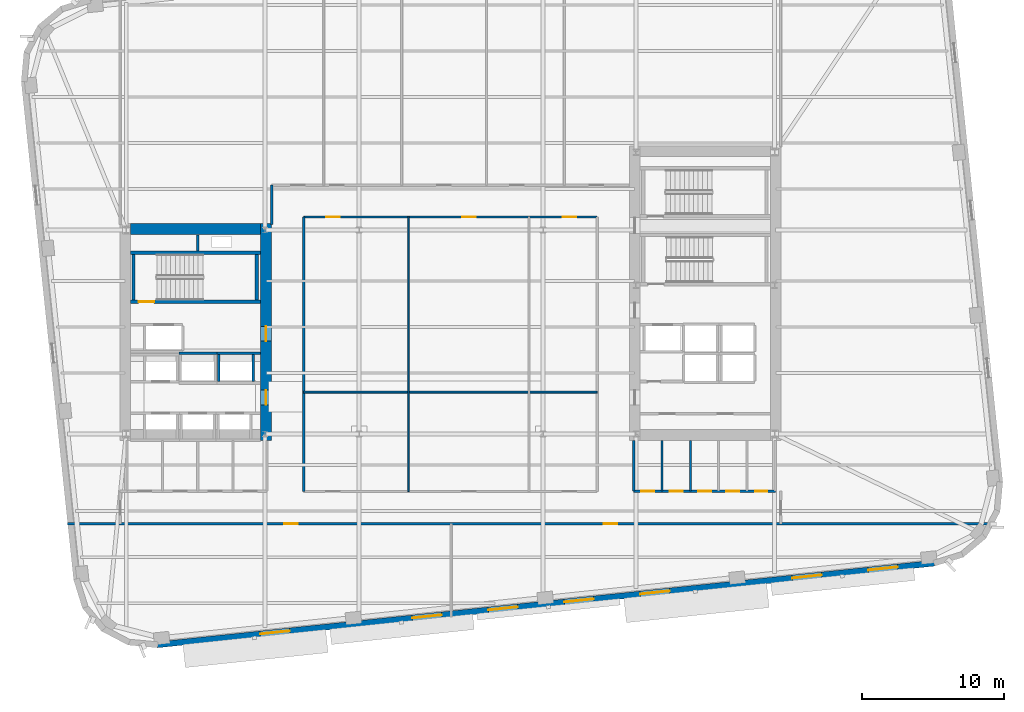
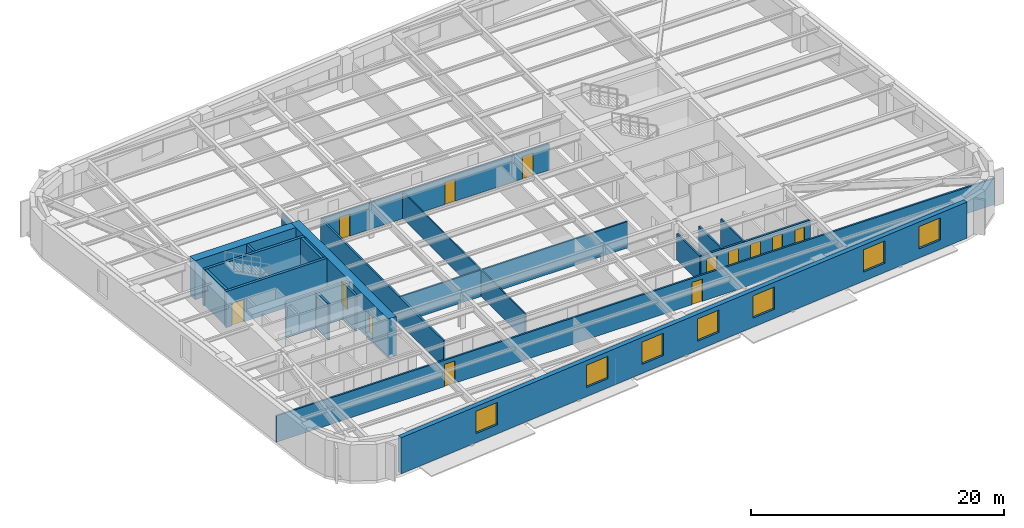
# One storey, part 5 of 15: 22 walls, 13 doors, 7 windows, 20 openings.
"""IFC4 building model written with IfcOpenShell, lengths in metres."""

import ifcopenshell
import ifcopenshell.guid

model = None  # the IFC model being written
_history = None  # IfcOwnerHistory: only IFC2X3 demands one
_inside = {}  # id of a spatial element -> (the spatial element, [elements in it])
_under = {}  # id of a project, library or spatial element -> (it, [spatial elements below it])
_declared = {}  # id of a project -> (the project, [libraries it declares])
_typed = {}  # id of a type object -> (the type object, [elements of that type])
_made_of = {}  # id of a material, layer set ... -> (it, [elements and type objects made of it])


def new_model(schema):
    """Start an empty IFC model of exactly this schema.

    Asked for "IFC4X3", IfcOpenShell would pick the latest addendum, in which some entities
    have other attributes; the version numbers below select the first issue.
    IFC2X3 requires an IfcOwnerHistory on every rooted entity: one is made here for all.
    """
    global model, _history
    if schema == "IFC4X3":
        model = ifcopenshell.file(schema_version=(4, 3, 0, 0))
    else:
        model = ifcopenshell.file(schema=schema)
    _inside.clear()
    _under.clear()
    _declared.clear()
    _typed.clear()
    _made_of.clear()
    _history = None
    if model.schema == "IFC2X3":
        org = make("IfcOrganization", Name="unknown")
        user = make(
            "IfcPersonAndOrganization",
            ThePerson=make("IfcPerson", FamilyName="unknown"),
            TheOrganization=org,
        )
        app = make(
            "IfcApplication",
            ApplicationDeveloper=org,
            Version="unknown",
            ApplicationFullName="unknown",
            ApplicationIdentifier="unknown",
        )
        _history = make(
            "IfcOwnerHistory",
            OwningUser=user,
            OwningApplication=app,
            ChangeAction="ADDED",
            CreationDate=0,
        )
    return model


def make(cls, **values):
    """One entity of the class cls with the attributes given. An attribute that is None is left unset."""
    return model.create_entity(
        cls, **{name: value for name, value in values.items() if value is not None}
    )


def rooted(cls, **values):
    """An entity with a GlobalId (a new one), such as an element, a storey or a relation."""
    return make(cls, GlobalId=ifcopenshell.guid.new(), OwnerHistory=_history, **values)


def si_unit(unit_type, name, prefix=None):
    """IfcSIUnit, for example si_unit("LENGTHUNIT", "METRE", prefix="MILLI")."""
    return make("IfcSIUnit", UnitType=unit_type, Prefix=prefix, Name=name)


def assignment(units):
    """IfcUnitAssignment: the units of a project."""
    return None if units is None else make("IfcUnitAssignment", Units=units)


def point(xyz):
    """IfcCartesianPoint."""
    return None if xyz is None else make("IfcCartesianPoint", Coordinates=xyz)


def direction(xyz):
    """IfcDirection."""
    return None if xyz is None else make("IfcDirection", DirectionRatios=xyz)


def frame(location, z_axis=None, x_axis=None):
    """IfcAxis2Placement3D, a coordinate frame: its origin and axes. An axis left out is left unset."""
    return make(
        "IfcAxis2Placement3D",
        Location=point(location),
        Axis=direction(z_axis),
        RefDirection=direction(x_axis),
    )


def frame_2d(location, x_axis=None):
    """IfcAxis2Placement2D, a coordinate frame in the plane: its origin and x axis."""
    return make(
        "IfcAxis2Placement2D", Location=point(location), RefDirection=direction(x_axis)
    )


def origin():
    """The frame at (0, 0, 0) with its axes left unset."""
    return frame((0.0, 0.0, 0.0))


def place(relative_to, where):
    """IfcLocalPlacement: puts the frame where relative to a parent placement (None: the world)."""
    return make(
        "IfcLocalPlacement", PlacementRelTo=relative_to, RelativePlacement=where
    )


def context(
    kind, dimensions, precision=None, world=None, true_north=None, identifier=None
):
    """IfcGeometricRepresentationContext, for example the 3D "Model" context."""
    return make(
        "IfcGeometricRepresentationContext",
        ContextIdentifier=identifier,
        ContextType=kind,
        CoordinateSpaceDimension=dimensions,
        Precision=precision,
        WorldCoordinateSystem=world,
        TrueNorth=true_north,
    )


def subcontext(parent, identifier, kind, view, scale=None):
    """IfcGeometricRepresentationSubContext, for example "Body" below "Model"."""
    return make(
        "IfcGeometricRepresentationSubContext",
        ContextIdentifier=identifier,
        ContextType=kind,
        ParentContext=parent,
        TargetScale=scale,
        TargetView=view,
    )


def project(units=None, contexts=None):
    """IfcProject with its units and contexts."""
    return rooted(
        "IfcProject",
        Name="project",
        RepresentationContexts=contexts,
        UnitsInContext=assignment(units),
    )


def spatial(cls, under=None, at=None, **own):
    """A site, building, storey or space (cls), placed at a placement, below another one or the project."""
    s = rooted(cls, ObjectPlacement=at, **own)
    if under is not None:
        _under.setdefault(under.id(), (under, []))[1].append(s)
    return s


def profile(cls, at=None, kind="AREA", **sizes):
    """A parametric profile (cls). Its sizes go by their IFC names, for example OverallWidth=200.0."""
    return make(cls, ProfileType=kind, Position=at, **sizes)


def rectangle(**sizes):
    """IfcRectangleProfileDef."""
    return profile("IfcRectangleProfileDef", **sizes)


def extrude(swept, where, along, depth):
    """IfcExtrudedAreaSolid: the profile swept, set in the frame where, extruded along a direction by depth."""
    return make(
        "IfcExtrudedAreaSolid",
        SweptArea=swept,
        Position=where,
        ExtrudedDirection=direction(along),
        Depth=depth,
    )


def shape(context_of_items, identifier, shape_type, items):
    """IfcShapeRepresentation: the items that make up one representation, for example the "Body"."""
    return make(
        "IfcShapeRepresentation",
        ContextOfItems=context_of_items,
        RepresentationIdentifier=identifier,
        RepresentationType=shape_type,
        Items=items,
    )


def material(Name=None, Category=None):
    """IfcMaterial."""
    return make("IfcMaterial", Name=Name, Category=Category)


def layer(
    of_material, thickness, ventilated=None, Name=None, Category=None, Priority=None
):
    """IfcMaterialLayer: one layer of a wall or slab, of a material (None: an air gap)."""
    return make(
        "IfcMaterialLayer",
        Material=of_material,
        LayerThickness=thickness,
        IsVentilated=ventilated,
        Name=Name,
        Category=Category,
        Priority=Priority,
    )


def layer_set(layers, Name=None):
    """IfcMaterialLayerSet."""
    return make("IfcMaterialLayerSet", MaterialLayers=layers, LayerSetName=Name)


def made_of(thing, what):
    """Note that an element or type object is made of a material, layer set ...; save() writes the relation."""
    if what is not None:
        _made_of.setdefault(what.id(), (what, []))[1].append(thing)
    return thing


def type_object(cls, material=None, **own):
    """A type object (cls), such as IfcWallType, which elements share."""
    return made_of(rooted(cls, **own), material)


def element(
    cls,
    number,
    at=None,
    inside=None,
    cuts=None,
    type_object=None,
    material=None,
    context=None,
    identifier="Body",
    shape_type=None,
    held_by="IfcProductDefinitionShape",
    body=None,
    shapes=None,
    **own,
):
    """One element of the class cls, such as IfcWall. Its Tag is "e" and its number.

    at: its placement. inside: the storey or other place that contains it. cuts: it is an
    opening in that element (IfcRelVoidsElement). A single representation is given by context,
    identifier, shape_type and body (its items); several are given by shapes. held_by: the class
    of the entity that holds the representations. save() writes the other relations.
    """
    e = rooted(cls, Tag="e%d" % number, ObjectPlacement=at, **own)
    if body is not None:
        shapes = [shape(context, identifier, shape_type, body)]
    if shapes is not None:
        e.Representation = make(held_by, Representations=shapes)
    if inside is not None:
        _inside.setdefault(inside.id(), (inside, []))[1].append(e)
    if cuts is not None:
        rooted(
            "IfcRelVoidsElement", RelatingBuildingElement=cuts, RelatedOpeningElement=e
        )
    if type_object is not None:
        _typed.setdefault(type_object.id(), (type_object, []))[1].append(e)
    return made_of(e, material)


def fill(opening, filler):
    """IfcRelFillsElement: the door or window that sits in an opening."""
    return rooted(
        "IfcRelFillsElement",
        RelatingOpeningElement=opening,
        RelatedBuildingElement=filler,
    )


def aggregate(whole, parts):
    """IfcRelAggregates: a whole, such as a stair, and the parts it consists of."""
    return rooted("IfcRelAggregates", RelatingObject=whole, RelatedObjects=parts)


def save(model, path):
    """Write the relations noted so far, then the file.

    IfcRelAggregates (storeys below a building ...), IfcRelContainedInSpatialStructure (elements
    in a storey), IfcRelDefinesByType, IfcRelAssociatesMaterial and IfcRelDeclares: one each for
    every whole, place, type object, material and project.
    """
    for whole, parts in _under.values():
        aggregate(whole, parts)
    for where, things in _inside.values():
        rooted(
            "IfcRelContainedInSpatialStructure",
            RelatedElements=things,
            RelatingStructure=where,
        )
    for kind, things in _typed.values():
        rooted("IfcRelDefinesByType", RelatedObjects=things, RelatingType=kind)
    for what, things in _made_of.values():
        rooted("IfcRelAssociatesMaterial", RelatedObjects=things, RelatingMaterial=what)
    for by, libraries in _declared.values():
        rooted("IfcRelDeclares", RelatingContext=by, RelatedDefinitions=libraries)
    model.write(path)


model = new_model("IFC4")

# Units and contexts
model_context = context("Model", 3, precision=1e-05, world=origin(), true_north=direction((0.0, 1.0)))
body_context = subcontext(model_context, "Body", "Model", "MODEL_VIEW")
ifc_project = project(units=[si_unit("LENGTHUNIT", "METRE"), si_unit("AREAUNIT", "SQUARE_METRE"), si_unit("VOLUMEUNIT", "CUBIC_METRE"), si_unit("PLANEANGLEUNIT", "RADIAN"), si_unit("MASSUNIT", "GRAM", prefix="KILO")], contexts=[model_context])

# Site, building, storey
site_placement = place(None, origin())
site = spatial("IfcSite", under=ifc_project, at=site_placement, CompositionType="ELEMENT")
building_placement = place(site_placement, origin())
building = spatial("IfcBuilding", under=site, at=building_placement, Name="Kolvaren Arena Tower", CompositionType="ELEMENT")
storey_placement = place(building_placement, frame((0.0, 0.0, 142.0)))
storey = spatial("IfcBuildingStorey", under=building, at=storey_placement, Name="L33", CompositionType="ELEMENT", Elevation=142.0)

# Wall, openings, doors
ifc_material_1 = material(Name="Gypsum board acoustic assembly", Category="gypsum")
ifc_layer_1 = layer(ifc_material_1, 0.159912109375)
ifc_layer_set_1 = layer_set([ifc_layer_1], Name="Gypsum board acoustic assembly")
wall_type_1 = type_object("IfcWallType", Name="CORR-160", PredefinedType="PARTITIONING", material=ifc_layer_set_1)
wall_1_placement = place(storey_placement, frame((10.41552734375, 13.10009765625, 0.0), z_axis=(0.0, 0.0, 1.0), x_axis=(1.0, 0.0, 0.0)))
wall_1 = element("IfcWall", 1, at=wall_1_placement, inside=storey, type_object=wall_type_1, Name="Interior Partition Wall (L33)", PredefinedType="PARTITIONING", context=body_context, shape_type="SweptSolid", body=[
    extrude(rectangle(XDim=65.414794921875, YDim=0.159912109375, at=frame_2d((32.70751953125, 0.0))), origin(), (0.0, 0.0, 1.0), 2.5400390625),
])
opening_1_placement = place(wall_1_placement, frame((15.3095703125, 0.0, 0.0)))
opening_1 = element("IfcOpeningElement", 2, at=opening_1_placement, cuts=wall_1, Name="Opening D05", PredefinedType="OPENING", context=body_context, shape_type="SweptSolid", body=[
    extrude(rectangle(XDim=0.949951171875, YDim=2.14990234375, at=frame_2d((0.47509765625, 1.074951171875))), frame((0.0, 0.08984375, 0.0), z_axis=(0.0, -1.0, 0.0), x_axis=(1.0, 0.0, 0.0)), (0.0, 0.0, 1.0), 0.179931640625),
])
opening_2_placement = place(wall_1_placement, frame((37.859619140625, 0.0, 0.0)))
opening_2 = element("IfcOpeningElement", 3, at=opening_2_placement, cuts=wall_1, Name="Opening D05", PredefinedType="OPENING", context=body_context, shape_type="SweptSolid", body=[
    extrude(rectangle(XDim=0.949951171875, YDim=2.14990234375, at=frame_2d((0.47509765625, 1.074951171875))), frame((0.0, 0.08984375, 0.0), z_axis=(0.0, -1.0, 0.0), x_axis=(1.0, 0.0, 0.0)), (0.0, 0.0, 1.0), 0.179931640625),
])
ifc_material_2 = material(Name="Solid-core oak acoustic office door", Category="wood")
door_type_1 = type_object("IfcDoorType", Name="DOOR-OF-095", OperationType="NOTDEFINED", PredefinedType="DOOR", material=ifc_material_2)
door_1_placement = place(opening_1_placement, origin())
door_1 = element("IfcDoor", 4, at=door_1_placement, inside=storey, type_object=door_type_1, Name="Executive Office Door (L33)", OperationType="SINGLE_SWING_LEFT", OverallHeight=2.14990234375, OverallWidth=0.949951171875, PredefinedType="DOOR", context=body_context, shape_type="SweptSolid", body=[
    extrude(rectangle(XDim=0.949951171875, YDim=2.14990234375, at=frame_2d((0.47509765625, 1.074951171875))), frame((0.0, 0.02490234375, 0.0), z_axis=(0.0, -1.0, 0.0), x_axis=(1.0, 0.0, 0.0)), (0.0, 0.0, 1.0), 0.050048828125),
])
fill(opening_1, door_1)
door_2_placement = place(opening_2_placement, origin())
door_2 = element("IfcDoor", 5, at=door_2_placement, inside=storey, type_object=door_type_1, Name="Executive Office Door (L33)", OperationType="SINGLE_SWING_RIGHT", OverallHeight=2.14990234375, OverallWidth=0.949951171875, PredefinedType="DOOR", context=body_context, shape_type="SweptSolid", body=[
    extrude(rectangle(XDim=0.949951171875, YDim=2.14990234375, at=frame_2d((0.47509765625, 1.074951171875))), frame((0.0, 0.02490234375, 0.0), z_axis=(0.0, -1.0, 0.0), x_axis=(1.0, 0.0, 0.0)), (0.0, 0.0, 1.0), 0.050048828125),
])
fill(opening_2, door_2)

# Wall
wall_2_placement = place(storey_placement, frame((24.820068359375, 34.25, 0.0), z_axis=(0.0, 0.0, 1.0), x_axis=(0.0, 1.0, 0.0)))
element("IfcWall", 6, at=wall_2_placement, inside=storey, type_object=wall_type_1, Name="Interior Partition Wall (L33)", PredefinedType="PARTITIONING", context=body_context, shape_type="SweptSolid", body=[
    extrude(rectangle(XDim=2.77001953125, YDim=0.159912109375, at=frame_2d((1.385009765625, 0.0))), origin(), (0.0, 0.0, 1.0), 2.5400390625),
])

# Wall, openings, doors
wall_3_placement = place(storey_placement, frame((27.080078125, 34.780029296875, 0.0), z_axis=(0.0, 0.0, 1.0), x_axis=(1.0, 0.0, 0.0)))
wall_3 = element("IfcWall", 7, at=wall_3_placement, inside=storey, type_object=wall_type_1, Name="Interior Partition Wall (L33)", PredefinedType="PARTITIONING", context=body_context, shape_type="SweptSolid", body=[
    extrude(rectangle(XDim=20.739990234375, YDim=0.159912109375, at=frame_2d((10.3701171875, 0.0))), origin(), (0.0, 0.0, 1.0), 2.5400390625),
])
opening_3_placement = place(wall_3_placement, frame((1.594970703125, 0.0, 0.0)))
opening_3 = element("IfcOpeningElement", 8, at=opening_3_placement, cuts=wall_3, Name="Opening D05", PredefinedType="OPENING", context=body_context, shape_type="SweptSolid", body=[
    extrude(rectangle(XDim=0.949951171875, YDim=2.14990234375, at=frame_2d((0.47509765625, 1.074951171875))), frame((0.0, 0.08984375, 0.0), z_axis=(0.0, -1.0, 0.0), x_axis=(1.0, 0.0, 0.0)), (0.0, 0.0, 1.0), 0.179931640625),
])
opening_4_placement = place(wall_3_placement, frame((11.195068359375, 0.0, 0.0)))
opening_4 = element("IfcOpeningElement", 9, at=opening_4_placement, cuts=wall_3, Name="Opening D05", PredefinedType="OPENING", context=body_context, shape_type="SweptSolid", body=[
    extrude(rectangle(XDim=0.949951171875, YDim=2.14990234375, at=frame_2d((0.47509765625, 1.074951171875))), frame((0.0, 0.08984375, 0.0), z_axis=(0.0, -1.0, 0.0), x_axis=(1.0, 0.0, 0.0)), (0.0, 0.0, 1.0), 0.179931640625),
])
opening_5_placement = place(wall_3_placement, frame((18.294921875, 0.0, 0.0)))
opening_5 = element("IfcOpeningElement", 10, at=opening_5_placement, cuts=wall_3, Name="Opening D05", PredefinedType="OPENING", context=body_context, shape_type="SweptSolid", body=[
    extrude(rectangle(XDim=0.949951171875, YDim=2.14990234375, at=frame_2d((0.47509765625, 1.074951171875))), frame((0.0, 0.08984375, 0.0), z_axis=(0.0, -1.0, 0.0), x_axis=(1.0, 0.0, 0.0)), (0.0, 0.0, 1.0), 0.179931640625),
])
door_3_placement = place(opening_3_placement, origin())
door_3 = element("IfcDoor", 11, at=door_3_placement, inside=storey, type_object=door_type_1, Name="Executive Office Door (L33)", OperationType="SINGLE_SWING_RIGHT", OverallHeight=2.14990234375, OverallWidth=0.949951171875, PredefinedType="DOOR", context=body_context, shape_type="SweptSolid", body=[
    extrude(rectangle(XDim=0.949951171875, YDim=2.14990234375, at=frame_2d((0.47509765625, 1.074951171875))), frame((0.0, 0.02490234375, 0.0), z_axis=(0.0, -1.0, 0.0), x_axis=(1.0, 0.0, 0.0)), (0.0, 0.0, 1.0), 0.050048828125),
])
fill(opening_3, door_3)
door_4_placement = place(opening_4_placement, origin())
door_4 = element("IfcDoor", 12, at=door_4_placement, inside=storey, type_object=door_type_1, Name="Open Plan Office Door (L33)", OperationType="SINGLE_SWING_RIGHT", OverallHeight=2.14990234375, OverallWidth=0.949951171875, PredefinedType="DOOR", context=body_context, shape_type="SweptSolid", body=[
    extrude(rectangle(XDim=0.949951171875, YDim=2.14990234375, at=frame_2d((0.47509765625, 1.074951171875))), frame((0.0, 0.02490234375, 0.0), z_axis=(0.0, -1.0, 0.0), x_axis=(1.0, 0.0, 0.0)), (0.0, 0.0, 1.0), 0.050048828125),
])
fill(opening_4, door_4)
door_5_placement = place(opening_5_placement, origin())
door_5 = element("IfcDoor", 13, at=door_5_placement, inside=storey, type_object=door_type_1, Name="Breakout Pantry and Kitchen Door (L33)", OperationType="SINGLE_SWING_RIGHT", OverallHeight=2.14990234375, OverallWidth=0.949951171875, PredefinedType="DOOR", context=body_context, shape_type="SweptSolid", body=[
    extrude(rectangle(XDim=0.949951171875, YDim=2.14990234375, at=frame_2d((0.47509765625, 1.074951171875))), frame((0.0, 0.02490234375, 0.0), z_axis=(0.0, -1.0, 0.0), x_axis=(1.0, 0.0, 0.0)), (0.0, 0.0, 1.0), 0.050048828125),
])
fill(opening_5, door_5)

# Wall
wall_4_placement = place(storey_placement, frame((27.080078125, 15.3798828125, 0.0), z_axis=(0.0, 0.0, 1.0), x_axis=(0.0, 1.0, 0.0)))
element("IfcWall", 14, at=wall_4_placement, inside=storey, type_object=wall_type_1, Name="Interior Partition Wall (L33)", PredefinedType="PARTITIONING", context=body_context, shape_type="SweptSolid", body=[
    extrude(rectangle(XDim=19.400146484375, YDim=0.159912109375, at=frame_2d((9.7001953125, 0.0))), origin(), (0.0, 0.0, 1.0), 2.5400390625),
])

# Wall, openings, doors
ifc_material_3 = material(Name="Concrete 70 MPa", Category="concrete")
ifc_layer_2 = layer(ifc_material_3, 0.75)
ifc_layer_set_2 = layer_set([ifc_layer_2], Name="Concrete 70 MPa")
wall_type_2 = type_object("IfcWallType", Name="CWALL-750", PredefinedType="SHEAR", material=ifc_layer_set_2)
wall_5_placement = place(storey_placement, frame((24.425048828125, 19.0, -0.27001953125), z_axis=(0.0, 0.0, 1.0), x_axis=(0.0, 1.0, 0.0)))
wall_5 = element("IfcWall", 15, at=wall_5_placement, inside=storey, type_object=wall_type_2, Name="Core Shear Wall WC-EAST (L33)", PredefinedType="SHEAR", context=body_context, shape_type="SweptSolid", body=[
    extrude(rectangle(XDim=15.300048828125, YDim=0.75, at=frame_2d((7.64990234375, 0.0))), origin(), (0.0, 0.0, 1.0), 3.75),
])
opening_6_placement = place(wall_5_placement, frame((2.5, 0.0, 0.27001953125)))
opening_6 = element("IfcOpeningElement", 16, at=opening_6_placement, cuts=wall_5, Name="Opening D04", PredefinedType="OPENING", context=body_context, shape_type="SweptSolid", body=[
    extrude(rectangle(XDim=1.050048828125, YDim=2.14990234375, at=frame_2d((0.52490234375, 1.074951171875))), frame((0.0, 0.385009765625, 0.0), z_axis=(0.0, -1.0, 0.0), x_axis=(1.0, 0.0, 0.0)), (0.0, 0.0, 1.0), 0.77001953125),
])
opening_7_placement = place(wall_5_placement, frame((7.0, 0.0, 0.27001953125)))
opening_7 = element("IfcOpeningElement", 17, at=opening_7_placement, cuts=wall_5, Name="Opening D04", PredefinedType="OPENING", context=body_context, shape_type="SweptSolid", body=[
    extrude(rectangle(XDim=1.050048828125, YDim=2.14990234375, at=frame_2d((0.52490234375, 1.074951171875))), frame((0.0, 0.385009765625, 0.0), z_axis=(0.0, -1.0, 0.0), x_axis=(1.0, 0.0, 0.0)), (0.0, 0.0, 1.0), 0.77001953125),
])
ifc_material_4 = material(Name="Fire-rated steel lobby door", Category="steel")
door_type_2 = type_object("IfcDoorType", Name="DOOR-FF-105", OperationType="NOTDEFINED", PredefinedType="DOOR", material=ifc_material_4)
door_6_placement = place(opening_6_placement, origin())
door_6 = element("IfcDoor", 18, at=door_6_placement, inside=storey, type_object=door_type_2, Name="West Lift Lobby Fire Door (L33)", OperationType="SINGLE_SWING_LEFT", OverallHeight=2.14990234375, OverallWidth=1.050048828125, PredefinedType="DOOR", context=body_context, shape_type="SweptSolid", body=[
    extrude(rectangle(XDim=1.050048828125, YDim=2.14990234375, at=frame_2d((0.52490234375, 1.074951171875))), frame((0.0, 0.02490234375, 0.0), z_axis=(0.0, -1.0, 0.0), x_axis=(1.0, 0.0, 0.0)), (0.0, 0.0, 1.0), 0.050048828125),
])
fill(opening_6, door_6)
door_7_placement = place(opening_7_placement, origin())
door_7 = element("IfcDoor", 19, at=door_7_placement, inside=storey, type_object=door_type_2, Name="West Firefighter Vestibule Door (L33)", OperationType="SINGLE_SWING_RIGHT", OverallHeight=2.14990234375, OverallWidth=1.050048828125, PredefinedType="DOOR", context=body_context, shape_type="SweptSolid", body=[
    extrude(rectangle(XDim=1.050048828125, YDim=2.14990234375, at=frame_2d((0.52490234375, 1.074951171875))), frame((0.0, 0.02490234375, 0.0), z_axis=(0.0, -1.0, 0.0), x_axis=(1.0, 0.0, 0.0)), (0.0, 0.0, 1.0), 0.050048828125),
])
fill(opening_7, door_7)

# Wall
wall_6_placement = place(storey_placement, frame((14.85009765625, 33.925048828125, -0.27001953125), z_axis=(0.0, 0.0, 1.0), x_axis=(1.0, 0.0, 0.0)))
element("IfcWall", 20, at=wall_6_placement, inside=storey, type_object=wall_type_2, Name="Core Shear Wall WC-NORTH (L33)", PredefinedType="SHEAR", context=body_context, shape_type="SweptSolid", body=[
    extrude(rectangle(XDim=9.199951171875, YDim=0.75, at=frame_2d((4.60009765625, 0.0))), origin(), (0.0, 0.0, 1.0), 3.75),
])

# Wall, openings, windows
ifc_material_5 = material(Name="Precast concrete C50/60", Category="concrete")
ifc_layer_3 = layer(ifc_material_5, 0.419921875)
ifc_layer_set_3 = layer_set([ifc_layer_3], Name="Precast concrete C50/60")
wall_type_3 = type_object("IfcWallType", Name="EXT-PIER1", PredefinedType="SOLIDWALL", material=ifc_layer_set_3)
wall_7_placement = place(storey_placement, frame((71.641357421875, 10.3203125, 0.0), z_axis=(0.0, 0.0, 1.0), x_axis=(-0.994521775062, -0.104529607897, 0.0)))
wall_7 = element("IfcWall", 21, at=wall_7_placement, inside=storey, type_object=wall_type_3, Name="Exterior Precast Masonry-Frame Wall (L33)", PredefinedType="SOLIDWALL", context=body_context, shape_type="SweptSolid", body=[
    extrude(rectangle(XDim=55.199951171875, YDim=0.419921875, at=frame_2d((27.60009765625, 0.0))), origin(), (0.0, 0.0, 1.0), 3.47998046875),
])
opening_8_placement = place(wall_7_placement, frame((2.60009765625, 0.0, 0.8798828125)))
opening_8 = element("IfcOpeningElement", 22, at=opening_8_placement, cuts=wall_7, Name="Opening W01", PredefinedType="OPENING", context=body_context, shape_type="SweptSolid", body=[
    extrude(rectangle(XDim=2.10009765625, YDim=2.14990234375, at=frame_2d((1.050048828125, 1.074951171875))), frame((0.0, 0.219970703125, 0.0), z_axis=(0.0, -1.0, 0.0), x_axis=(1.0, 0.0, 0.0)), (0.0, 0.0, 1.0), 0.43994140625),
])
opening_9_placement = place(wall_7_placement, frame((8.0, 0.0, 0.8798828125)))
opening_9 = element("IfcOpeningElement", 23, at=opening_9_placement, cuts=wall_7, Name="Opening W01", PredefinedType="OPENING", context=body_context, shape_type="SweptSolid", body=[
    extrude(rectangle(XDim=2.10009765625, YDim=2.14990234375, at=frame_2d((1.050048828125, 1.074951171875))), frame((0.0, 0.219970703125, 0.0), z_axis=(0.0, -1.0, 0.0), x_axis=(1.0, 0.0, 0.0)), (0.0, 0.0, 1.0), 0.43994140625),
])
opening_10_placement = place(wall_7_placement, frame((18.800048828125, 0.0, 0.8798828125)))
opening_10 = element("IfcOpeningElement", 24, at=opening_10_placement, cuts=wall_7, Name="Opening W01", PredefinedType="OPENING", context=body_context, shape_type="SweptSolid", body=[
    extrude(rectangle(XDim=2.10009765625, YDim=2.14990234375, at=frame_2d((1.050048828125, 1.074951171875))), frame((0.0, 0.219970703125, 0.0), z_axis=(0.0, -1.0, 0.0), x_axis=(1.0, 0.0, 0.0)), (0.0, 0.0, 1.0), 0.43994140625),
])
opening_11_placement = place(wall_7_placement, frame((24.199951171875, 0.0, 0.8798828125)))
opening_11 = element("IfcOpeningElement", 25, at=opening_11_placement, cuts=wall_7, Name="Opening W01", PredefinedType="OPENING", context=body_context, shape_type="SweptSolid", body=[
    extrude(rectangle(XDim=2.10009765625, YDim=2.14990234375, at=frame_2d((1.050048828125, 1.074951171875))), frame((0.0, 0.219970703125, 0.0), z_axis=(0.0, -1.0, 0.0), x_axis=(1.0, 0.0, 0.0)), (0.0, 0.0, 1.0), 0.43994140625),
])
opening_12_placement = place(wall_7_placement, frame((29.60009765625, 0.0, 0.8798828125)))
opening_12 = element("IfcOpeningElement", 26, at=opening_12_placement, cuts=wall_7, Name="Opening W01", PredefinedType="OPENING", context=body_context, shape_type="SweptSolid", body=[
    extrude(rectangle(XDim=2.10009765625, YDim=2.14990234375, at=frame_2d((1.050048828125, 1.074951171875))), frame((0.0, 0.219970703125, 0.0), z_axis=(0.0, -1.0, 0.0), x_axis=(1.0, 0.0, 0.0)), (0.0, 0.0, 1.0), 0.43994140625),
])
opening_13_placement = place(wall_7_placement, frame((35.0, 0.0, 0.8798828125)))
opening_13 = element("IfcOpeningElement", 27, at=opening_13_placement, cuts=wall_7, Name="Opening W01", PredefinedType="OPENING", context=body_context, shape_type="SweptSolid", body=[
    extrude(rectangle(XDim=2.10009765625, YDim=2.14990234375, at=frame_2d((1.050048828125, 1.074951171875))), frame((0.0, 0.219970703125, 0.0), z_axis=(0.0, -1.0, 0.0), x_axis=(1.0, 0.0, 0.0)), (0.0, 0.0, 1.0), 0.43994140625),
])
opening_14_placement = place(wall_7_placement, frame((45.800048828125, 0.0, 0.8798828125)))
opening_14 = element("IfcOpeningElement", 28, at=opening_14_placement, cuts=wall_7, Name="Opening W01", PredefinedType="OPENING", context=body_context, shape_type="SweptSolid", body=[
    extrude(rectangle(XDim=2.10009765625, YDim=2.14990234375, at=frame_2d((1.050048828125, 1.074951171875))), frame((0.0, 0.219970703125, 0.0), z_axis=(0.0, -1.0, 0.0), x_axis=(1.0, 0.0, 0.0)), (0.0, 0.0, 1.0), 0.43994140625),
])
ifc_material_6 = material(Name="Triple-glazed low-E aluminium window", Category="aluminium")
window_type = type_object("IfcWindowType", Name="WIN-OFF-A", PartitioningType="DOUBLE_PANEL_VERTICAL", PredefinedType="WINDOW", material=ifc_material_6)
window_1_placement = place(opening_8_placement, origin())
window_1 = element("IfcWindow", 29, at=window_1_placement, inside=storey, type_object=window_type, Name="Punched Precast-Pier Window (L33)", OverallHeight=2.14990234375, OverallWidth=2.10009765625, PartitioningType="DOUBLE_PANEL_VERTICAL", PredefinedType="WINDOW", context=body_context, shape_type="SweptSolid", body=[
    extrude(rectangle(XDim=2.10009765625, YDim=2.14990234375, at=frame_2d((1.050048828125, 1.074951171875))), frame((0.0, 0.030029296875, 0.0), z_axis=(0.0, -1.0, 0.0), x_axis=(1.0, 0.0, 0.0)), (0.0, 0.0, 1.0), 0.06005859375),
])
fill(opening_8, window_1)
window_2_placement = place(opening_9_placement, origin())
window_2 = element("IfcWindow", 30, at=window_2_placement, inside=storey, type_object=window_type, Name="Punched Precast-Pier Window (L33)", OverallHeight=2.14990234375, OverallWidth=2.10009765625, PartitioningType="DOUBLE_PANEL_VERTICAL", PredefinedType="WINDOW", context=body_context, shape_type="SweptSolid", body=[
    extrude(rectangle(XDim=2.10009765625, YDim=2.14990234375, at=frame_2d((1.050048828125, 1.074951171875))), frame((0.0, 0.030029296875, 0.0), z_axis=(0.0, -1.0, 0.0), x_axis=(1.0, 0.0, 0.0)), (0.0, 0.0, 1.0), 0.06005859375),
])
fill(opening_9, window_2)
window_3_placement = place(opening_10_placement, origin())
window_3 = element("IfcWindow", 31, at=window_3_placement, inside=storey, type_object=window_type, Name="Punched Precast-Pier Window (L33)", OverallHeight=2.14990234375, OverallWidth=2.10009765625, PartitioningType="DOUBLE_PANEL_VERTICAL", PredefinedType="WINDOW", context=body_context, shape_type="SweptSolid", body=[
    extrude(rectangle(XDim=2.10009765625, YDim=2.14990234375, at=frame_2d((1.050048828125, 1.074951171875))), frame((0.0, 0.030029296875, 0.0), z_axis=(0.0, -1.0, 0.0), x_axis=(1.0, 0.0, 0.0)), (0.0, 0.0, 1.0), 0.06005859375),
])
fill(opening_10, window_3)
window_4_placement = place(opening_11_placement, origin())
window_4 = element("IfcWindow", 32, at=window_4_placement, inside=storey, type_object=window_type, Name="Punched Precast-Pier Window (L33)", OverallHeight=2.14990234375, OverallWidth=2.10009765625, PartitioningType="DOUBLE_PANEL_VERTICAL", PredefinedType="WINDOW", context=body_context, shape_type="SweptSolid", body=[
    extrude(rectangle(XDim=2.10009765625, YDim=2.14990234375, at=frame_2d((1.050048828125, 1.074951171875))), frame((0.0, 0.030029296875, 0.0), z_axis=(0.0, -1.0, 0.0), x_axis=(1.0, 0.0, 0.0)), (0.0, 0.0, 1.0), 0.06005859375),
])
fill(opening_11, window_4)
window_5_placement = place(opening_12_placement, origin())
window_5 = element("IfcWindow", 33, at=window_5_placement, inside=storey, type_object=window_type, Name="Punched Precast-Pier Window (L33)", OverallHeight=2.14990234375, OverallWidth=2.10009765625, PartitioningType="DOUBLE_PANEL_VERTICAL", PredefinedType="WINDOW", context=body_context, shape_type="SweptSolid", body=[
    extrude(rectangle(XDim=2.10009765625, YDim=2.14990234375, at=frame_2d((1.050048828125, 1.074951171875))), frame((0.0, 0.030029296875, 0.0), z_axis=(0.0, -1.0, 0.0), x_axis=(1.0, 0.0, 0.0)), (0.0, 0.0, 1.0), 0.06005859375),
])
fill(opening_12, window_5)
window_6_placement = place(opening_13_placement, origin())
window_6 = element("IfcWindow", 34, at=window_6_placement, inside=storey, type_object=window_type, Name="Punched Precast-Pier Window (L33)", OverallHeight=2.14990234375, OverallWidth=2.10009765625, PartitioningType="DOUBLE_PANEL_VERTICAL", PredefinedType="WINDOW", context=body_context, shape_type="SweptSolid", body=[
    extrude(rectangle(XDim=2.10009765625, YDim=2.14990234375, at=frame_2d((1.050048828125, 1.074951171875))), frame((0.0, 0.030029296875, 0.0), z_axis=(0.0, -1.0, 0.0), x_axis=(1.0, 0.0, 0.0)), (0.0, 0.0, 1.0), 0.06005859375),
])
fill(opening_13, window_6)
window_7_placement = place(opening_14_placement, origin())
window_7 = element("IfcWindow", 35, at=window_7_placement, inside=storey, type_object=window_type, Name="Punched Precast-Pier Window (L33)", OverallHeight=2.14990234375, OverallWidth=2.10009765625, PartitioningType="DOUBLE_PANEL_VERTICAL", PredefinedType="WINDOW", context=body_context, shape_type="SweptSolid", body=[
    extrude(rectangle(XDim=2.10009765625, YDim=2.14990234375, at=frame_2d((1.050048828125, 1.074951171875))), frame((0.0, 0.030029296875, 0.0), z_axis=(0.0, -1.0, 0.0), x_axis=(1.0, 0.0, 0.0)), (0.0, 0.0, 1.0), 0.06005859375),
])
fill(opening_14, window_7)

# Walls
ifc_material_7 = material(Name="Gypsum board partition assembly", Category="gypsum")
ifc_layer_4 = layer(ifc_material_7, 0.114990234375)
ifc_layer_set_4 = layer_set([ifc_layer_4], Name="Gypsum board partition assembly")
wall_type_4 = type_object("IfcWallType", Name="PART-115", PredefinedType="PARTITIONING", material=ifc_layer_set_4)
wall_8_placement = place(storey_placement, frame((34.5, 15.3798828125, 0.0), z_axis=(0.0, 0.0, 1.0), x_axis=(0.0, 1.0, 0.0)))
element("IfcWall", 36, at=wall_8_placement, inside=storey, type_object=wall_type_4, Name="Interior Partition Wall (L33)", PredefinedType="PARTITIONING", context=body_context, shape_type="SweptSolid", body=[
    extrude(rectangle(XDim=19.400146484375, YDim=0.114990234375, at=frame_2d((9.7001953125, 0.0))), origin(), (0.0, 0.0, 1.0), 2.5400390625),
])
ifc_layer_5 = layer(ifc_material_7, 0.135009765625)
ifc_layer_set_5 = layer_set([ifc_layer_5], Name="Gypsum board partition assembly")
wall_type_5 = type_object("IfcWallType", Name="PART-135", PredefinedType="PARTITIONING", material=ifc_layer_set_5)
wall_9_placement = place(storey_placement, frame((27.080078125, 22.39990234375, 0.0), z_axis=(0.0, 0.0, 1.0), x_axis=(1.0, 0.0, 0.0)))
element("IfcWall", 37, at=wall_9_placement, inside=storey, type_object=wall_type_5, Name="Interior Partition Wall (L33)", PredefinedType="PARTITIONING", context=body_context, shape_type="SweptSolid", body=[
    extrude(rectangle(XDim=20.739990234375, YDim=0.135009765625, at=frame_2d((10.3701171875, 0.0))), origin(), (0.0, 0.0, 1.0), 2.5400390625),
])

# Wall, opening, door
ifc_material_8 = material(Name="Concrete 45 MPa", Category="concrete")
ifc_layer_6 = layer(ifc_material_8, 0.25)
ifc_layer_set_6 = layer_set([ifc_layer_6], Name="Concrete 45 MPa")
wall_type_6 = type_object("IfcWallType", Name="SHAFT-250", PredefinedType="SOLIDWALL", material=ifc_layer_set_6)
wall_10_placement = place(storey_placement, frame((24.050048828125, 28.780029296875, 0.0), z_axis=(0.0, 0.0, 1.0), x_axis=(-1.0, 0.0, 0.0)))
wall_10 = element("IfcWall", 38, at=wall_10_placement, inside=storey, type_object=wall_type_6, Name="Core Shaft Wall (L33)", PredefinedType="SOLIDWALL", context=body_context, shape_type="SweptSolid", body=[
    extrude(rectangle(XDim=9.199951171875, YDim=0.239990234375, at=frame_2d((4.60009765625, 0.0))), origin(), (0.0, 0.0, 1.0), 3.47998046875),
])
opening_15_placement = place(wall_10_placement, frame((7.530029296875, 0.0, 0.0)))
opening_15 = element("IfcOpeningElement", 39, at=opening_15_placement, cuts=wall_10, Name="Opening D03", PredefinedType="OPENING", context=body_context, shape_type="SweptSolid", body=[
    extrude(rectangle(XDim=1.10009765625, YDim=2.14990234375, at=frame_2d((0.550048828125, 1.074951171875))), frame((0.0, 0.1298828125, 0.0), z_axis=(0.0, -1.0, 0.0), x_axis=(1.0, 0.0, 0.0)), (0.0, 0.0, 1.0), 0.260009765625),
])
ifc_material_9 = material(Name="Fire-rated steel exit stair door", Category="steel")
door_type_3 = type_object("IfcDoorType", Name="DOOR-ST-110", OperationType="NOTDEFINED", PredefinedType="DOOR", material=ifc_material_9)
door_8_placement = place(opening_15_placement, origin())
door_8 = element("IfcDoor", 40, at=door_8_placement, inside=storey, type_object=door_type_3, Name="Stair ST-W1 Fire Door (L33)", OperationType="SINGLE_SWING_RIGHT", OverallHeight=2.14990234375, OverallWidth=1.10009765625, PredefinedType="DOOR", context=body_context, shape_type="SweptSolid", body=[
    extrude(rectangle(XDim=1.10009765625, YDim=2.14990234375, at=frame_2d((0.550048828125, 1.074951171875))), frame((0.0, 0.02490234375, 0.0), z_axis=(0.0, -1.0, 0.0), x_axis=(1.0, 0.0, 0.0)), (0.0, 0.0, 1.0), 0.050048828125),
])
fill(opening_15, door_8)

# Walls
wall_11_placement = place(storey_placement, frame((14.85009765625, 32.25, 0.0), z_axis=(0.0, 0.0, 1.0), x_axis=(1.0, 0.0, 0.0)))
element("IfcWall", 41, at=wall_11_placement, inside=storey, type_object=wall_type_6, Name="Core Shaft Wall (L33)", PredefinedType="SOLIDWALL", context=body_context, shape_type="SweptSolid", body=[
    extrude(rectangle(XDim=9.199951171875, YDim=0.239990234375, at=frame_2d((4.60009765625, 0.0))), origin(), (0.0, 0.0, 1.0), 3.47998046875),
])
for number, where, z_axis, x_axis, name in (
    (42, (15.06005859375, 28.89990234375, 0.0), (0.0, 0.0, 1.0), (0.0, 1.0, 0.0), "Core Shaft Wall (L33)"),
    (43, (23.780029296875, 28.89990234375, 0.0), (0.0, 0.0, 1.0), (0.0, 1.0, 0.0), "Core Shaft Wall (L33)"),
):
    element("IfcWall", number, at=place(storey_placement, frame(where, z_axis=z_axis, x_axis=x_axis)), inside=storey, type_object=wall_type_6, Name=name, PredefinedType="SOLIDWALL", context=body_context, shape_type="SweptSolid", body=[
        extrude(rectangle(XDim=3.22998046875, YDim=0.239990234375, at=frame_2d((1.614990234375, 0.0))), origin(), (0.0, 0.0, 1.0), 3.47998046875),
    ])
wall_12_placement = place(storey_placement, frame((19.60009765625, 32.3701171875, 0.0), z_axis=(0.0, 0.0, 1.0), x_axis=(0.0, 1.0, 0.0)))
element("IfcWall", 44, at=wall_12_placement, inside=storey, type_object=wall_type_6, Name="Core Shaft Wall (L33)", PredefinedType="SOLIDWALL", context=body_context, shape_type="SweptSolid", body=[
    extrude(rectangle(XDim=1.1298828125, YDim=0.199951171875, at=frame_2d((0.56494140625, 0.0))), origin(), (0.0, 0.0, 1.0), 3.47998046875),
])
wall_13_placement = place(storey_placement, frame((18.262451171875, 25.155029296875, 0.0), z_axis=(0.0, 0.0, 1.0), x_axis=(1.0, 0.0, 0.0)))
element("IfcWall", 45, at=wall_13_placement, inside=storey, type_object=wall_type_6, Name="Core Shaft Wall (L33)", PredefinedType="SOLIDWALL", context=body_context, shape_type="SweptSolid", body=[
    extrude(rectangle(XDim=2.6875, YDim=0.179931640625, at=frame_2d((1.34375, 0.0))), origin(), (0.0, 0.0, 1.0), 3.47998046875),
])
wall_14_placement = place(storey_placement, frame((20.949951171875, 25.155029296875, 0.0), z_axis=(0.0, 0.0, 1.0), x_axis=(1.0, 0.0, 0.0)))
element("IfcWall", 46, at=wall_14_placement, inside=storey, type_object=wall_type_6, Name="Core Shaft Wall (L33)", PredefinedType="SOLIDWALL", context=body_context, shape_type="SweptSolid", body=[
    extrude(rectangle(XDim=3.10009765625, YDim=0.179931640625, at=frame_2d((1.550048828125, 0.0))), origin(), (0.0, 0.0, 1.0), 3.47998046875),
])
for number, where, z_axis, x_axis, name in (
    (47, (21.070068359375, 23.135009765625, 0.0), (0.0, 0.0, 1.0), (0.0, 1.0, 0.0), "Core Shaft Wall (L33)"),
    (48, (23.530029296875, 23.135009765625, 0.0), (0.0, 0.0, 1.0), (0.0, 1.0, 0.0), "Core Shaft Wall (L33)"),
):
    element("IfcWall", number, at=place(storey_placement, frame(where, z_axis=z_axis, x_axis=x_axis)), inside=storey, type_object=wall_type_6, Name=name, PredefinedType="SOLIDWALL", context=body_context, shape_type="SweptSolid", body=[
        extrude(rectangle(XDim=1.929931640625, YDim=0.179931640625, at=frame_2d((0.96484375, 0.0))), origin(), (0.0, 0.0, 1.0), 3.47998046875),
    ])

# Wall, openings, doors
wall_15_placement = place(storey_placement, frame((50.39990234375, 15.39990234375, 0.0), z_axis=(0.0, 0.0, 1.0), x_axis=(1.0, 0.0, 0.0)))
wall_15 = element("IfcWall", 49, at=wall_15_placement, inside=storey, type_object=wall_type_6, Name="Interior Partition Wall (L33)", PredefinedType="SOLIDWALL", context=body_context, shape_type="SweptSolid", body=[
    extrude(rectangle(XDim=10.0, YDim=0.179931640625, at=frame_2d((5.0, 0.0))), origin(), (0.0, 0.0, 1.0), 2.5400390625),
])
opening_16_placement = place(wall_15_placement, frame((0.5400390625, 0.0, 0.0)))
opening_16 = element("IfcOpeningElement", 50, at=opening_16_placement, cuts=wall_15, Name="Opening D07", PredefinedType="OPENING", context=body_context, shape_type="SweptSolid", body=[
    extrude(rectangle(XDim=0.919921875, YDim=2.10009765625, at=frame_2d((0.4599609375, 1.050048828125))), frame((0.0, 0.099853515625, 0.0), z_axis=(0.0, -1.0, 0.0), x_axis=(1.0, 0.0, 0.0)), (0.0, 0.0, 1.0), 0.199951171875),
])
opening_17_placement = place(wall_15_placement, frame((2.5400390625, 0.0, 0.0)))
opening_17 = element("IfcOpeningElement", 51, at=opening_17_placement, cuts=wall_15, Name="Opening D07", PredefinedType="OPENING", context=body_context, shape_type="SweptSolid", body=[
    extrude(rectangle(XDim=0.919921875, YDim=2.10009765625, at=frame_2d((0.4599609375, 1.050048828125))), frame((0.0, 0.099853515625, 0.0), z_axis=(0.0, -1.0, 0.0), x_axis=(1.0, 0.0, 0.0)), (0.0, 0.0, 1.0), 0.199951171875),
])
opening_18_placement = place(wall_15_placement, frame((4.5400390625, 0.0, 0.0)))
opening_18 = element("IfcOpeningElement", 52, at=opening_18_placement, cuts=wall_15, Name="Opening D07", PredefinedType="OPENING", context=body_context, shape_type="SweptSolid", body=[
    extrude(rectangle(XDim=0.919921875, YDim=2.10009765625, at=frame_2d((0.4599609375, 1.050048828125))), frame((0.0, 0.099853515625, 0.0), z_axis=(0.0, -1.0, 0.0), x_axis=(1.0, 0.0, 0.0)), (0.0, 0.0, 1.0), 0.199951171875),
])
opening_19_placement = place(wall_15_placement, frame((6.5400390625, 0.0, 0.0)))
opening_19 = element("IfcOpeningElement", 53, at=opening_19_placement, cuts=wall_15, Name="Opening D07", PredefinedType="OPENING", context=body_context, shape_type="SweptSolid", body=[
    extrude(rectangle(XDim=0.919921875, YDim=2.10009765625, at=frame_2d((0.4599609375, 1.050048828125))), frame((0.0, 0.099853515625, 0.0), z_axis=(0.0, -1.0, 0.0), x_axis=(1.0, 0.0, 0.0)), (0.0, 0.0, 1.0), 0.199951171875),
])
opening_20_placement = place(wall_15_placement, frame((8.570068359375, 0.0, 0.0)))
opening_20 = element("IfcOpeningElement", 54, at=opening_20_placement, cuts=wall_15, Name="Opening D09", PredefinedType="OPENING", context=body_context, shape_type="SweptSolid", body=[
    extrude(rectangle(XDim=0.860107421875, YDim=2.050048828125, at=frame_2d((0.43017578125, 1.02490234375))), frame((0.0, 0.099853515625, 0.0), z_axis=(0.0, -1.0, 0.0), x_axis=(1.0, 0.0, 0.0)), (0.0, 0.0, 1.0), 0.199951171875),
])
ifc_material_10 = material(Name="Fire-rated steel riser access door", Category="steel")
door_type_4 = type_object("IfcDoorType", Name="DOOR-RS-086", OperationType="NOTDEFINED", PredefinedType="DOOR", material=ifc_material_10)
door_9_placement = place(opening_20_placement, origin())
door_9 = element("IfcDoor", 55, at=door_9_placement, inside=storey, type_object=door_type_4, Name="Telecom Riser Closet Door (L33)", OperationType="SINGLE_SWING_LEFT", OverallHeight=2.050048828125, OverallWidth=0.860107421875, PredefinedType="DOOR", context=body_context, shape_type="SweptSolid", body=[
    extrude(rectangle(XDim=0.860107421875, YDim=2.050048828125, at=frame_2d((0.43017578125, 1.02490234375))), frame((0.0, 0.02490234375, 0.0), z_axis=(0.0, -1.0, 0.0), x_axis=(1.0, 0.0, 0.0)), (0.0, 0.0, 1.0), 0.050048828125),
])
fill(opening_20, door_9)
ifc_material_11 = material(Name="Laminate universal washroom door", Category="wood")
door_type_5 = type_object("IfcDoorType", Name="DOOR-WC-092", OperationType="NOTDEFINED", PredefinedType="DOOR", material=ifc_material_11)
door_10_placement = place(opening_16_placement, origin())
door_10 = element("IfcDoor", 56, at=door_10_placement, inside=storey, type_object=door_type_5, Name="First Aid Store Door (L33)", OperationType="SINGLE_SWING_LEFT", OverallHeight=2.10009765625, OverallWidth=0.919921875, PredefinedType="DOOR", context=body_context, shape_type="SweptSolid", body=[
    extrude(rectangle(XDim=0.919921875, YDim=2.10009765625, at=frame_2d((0.4599609375, 1.050048828125))), frame((0.0, 0.02490234375, 0.0), z_axis=(0.0, -1.0, 0.0), x_axis=(1.0, 0.0, 0.0)), (0.0, 0.0, 1.0), 0.050048828125),
])
fill(opening_16, door_10)
door_11_placement = place(opening_17_placement, origin())
door_11 = element("IfcDoor", 57, at=door_11_placement, inside=storey, type_object=door_type_5, Name="Cleaner and Janitor Store Door (L33)", OperationType="SINGLE_SWING_RIGHT", OverallHeight=2.10009765625, OverallWidth=0.919921875, PredefinedType="DOOR", context=body_context, shape_type="SweptSolid", body=[
    extrude(rectangle(XDim=0.919921875, YDim=2.10009765625, at=frame_2d((0.4599609375, 1.050048828125))), frame((0.0, 0.02490234375, 0.0), z_axis=(0.0, -1.0, 0.0), x_axis=(1.0, 0.0, 0.0)), (0.0, 0.0, 1.0), 0.050048828125),
])
fill(opening_17, door_11)
door_12_placement = place(opening_18_placement, origin())
door_12 = element("IfcDoor", 58, at=door_12_placement, inside=storey, type_object=door_type_5, Name="Staff Pantry Door (L33)", OperationType="SINGLE_SWING_LEFT", OverallHeight=2.10009765625, OverallWidth=0.919921875, PredefinedType="DOOR", context=body_context, shape_type="SweptSolid", body=[
    extrude(rectangle(XDim=0.919921875, YDim=2.10009765625, at=frame_2d((0.4599609375, 1.050048828125))), frame((0.0, 0.02490234375, 0.0), z_axis=(0.0, -1.0, 0.0), x_axis=(1.0, 0.0, 0.0)), (0.0, 0.0, 1.0), 0.050048828125),
])
fill(opening_18, door_12)
door_13_placement = place(opening_19_placement, origin())
door_13 = element("IfcDoor", 59, at=door_13_placement, inside=storey, type_object=door_type_5, Name="Gender-Neutral Washroom Door (L33)", OperationType="SINGLE_SWING_RIGHT", OverallHeight=2.10009765625, OverallWidth=0.919921875, PredefinedType="DOOR", context=body_context, shape_type="SweptSolid", body=[
    extrude(rectangle(XDim=0.919921875, YDim=2.10009765625, at=frame_2d((0.4599609375, 1.050048828125))), frame((0.0, 0.02490234375, 0.0), z_axis=(0.0, -1.0, 0.0), x_axis=(1.0, 0.0, 0.0)), (0.0, 0.0, 1.0), 0.050048828125),
])
fill(opening_19, door_13)

# Walls
ifc_material_12 = material(Name="Moisture-resistant gypsum assembly", Category="gypsum")
ifc_layer_7 = layer(ifc_material_12, 0.14990234375)
ifc_layer_set_7 = layer_set([ifc_layer_7], Name="Moisture-resistant gypsum assembly")
wall_type_7 = type_object("IfcWallType", Name="WETW-150", PredefinedType="PARTITIONING", material=ifc_layer_set_7)
for number, where, z_axis, x_axis, name in (
    (60, (52.39990234375, 15.39990234375, 0.0), (0.0, 0.0, 1.0), (0.0, 1.0, 0.0), "Interior Partition Wall (L33)"),
    (61, (54.39990234375, 15.39990234375, 0.0), (0.0, 0.0, 1.0), (0.0, 1.0, 0.0), "Interior Partition Wall (L33)"),
    (62, (50.39990234375, 15.39990234375, 0.0), (0.0, 0.0, 1.0), (0.0, 1.0, 0.0), "Interior Partition Wall (L33)"),
):
    element("IfcWall", number, at=place(storey_placement, frame(where, z_axis=z_axis, x_axis=x_axis)), inside=storey, type_object=wall_type_7, Name=name, PredefinedType="PARTITIONING", context=body_context, shape_type="SweptSolid", body=[
        extrude(rectangle(XDim=3.580078125, YDim=0.14990234375, at=frame_2d((1.7900390625, 0.0))), origin(), (0.0, 0.0, 1.0), 2.5400390625),
    ])

save(model, "model.ifc")
